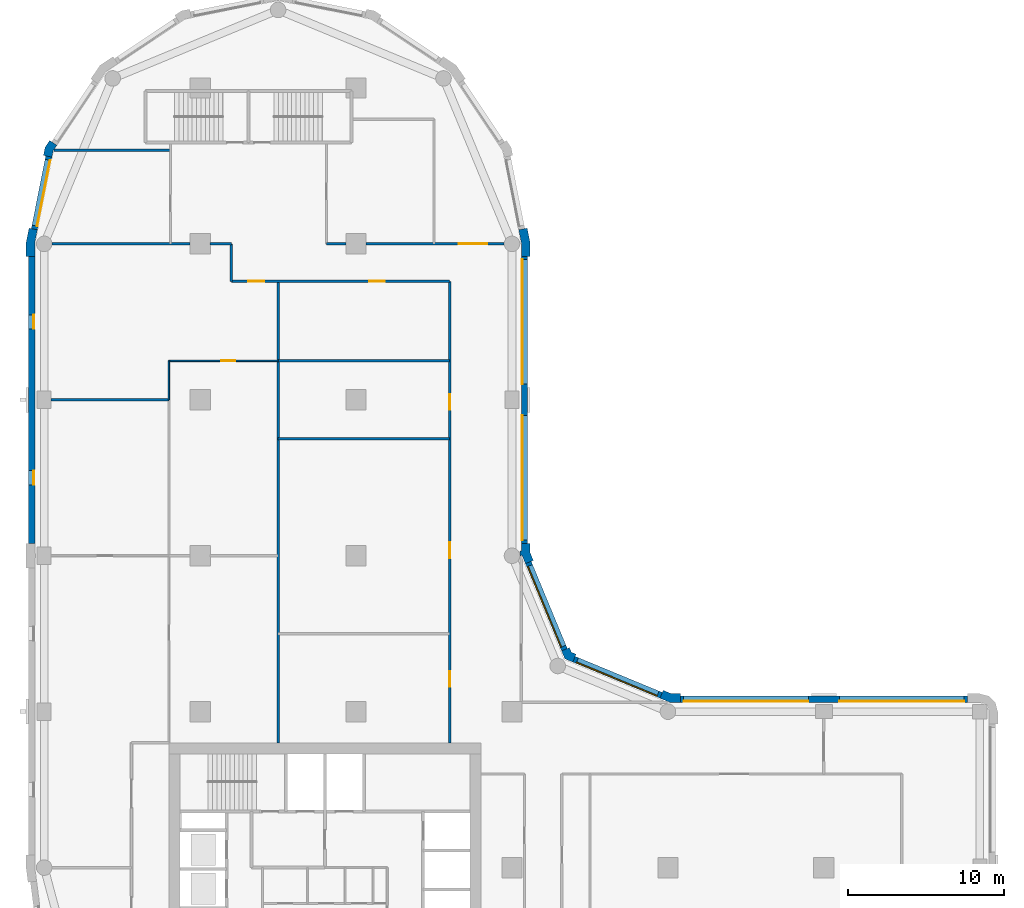
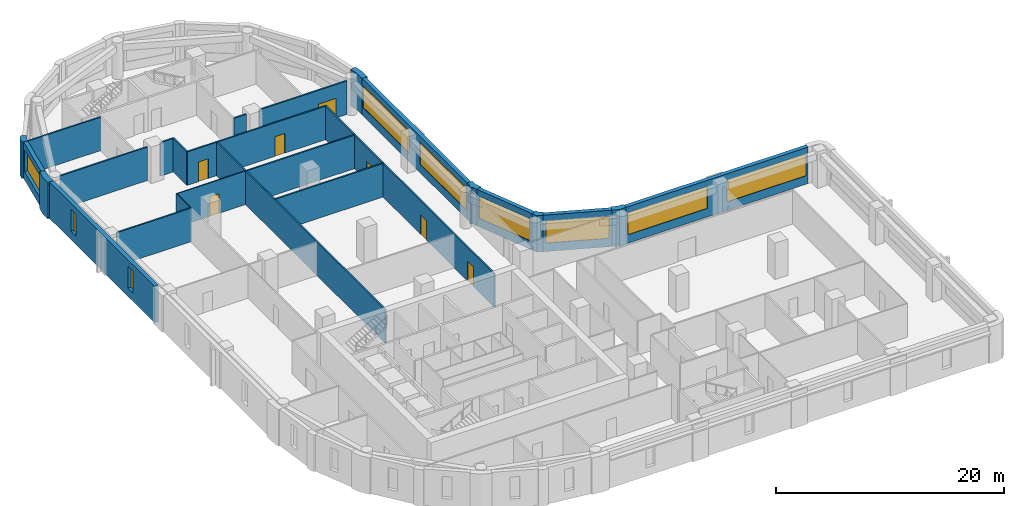
# One storey, part 6 of 10: 26 walls, 9 windows, 7 doors, 16 openings.
"""IFC4 building model written with IfcOpenShell, lengths in metres."""

import ifcopenshell
import ifcopenshell.guid

model = None  # the IFC model being written
_history = None  # IfcOwnerHistory: only IFC2X3 demands one
_inside = {}  # id of a spatial element -> (the spatial element, [elements in it])
_under = {}  # id of a project, library or spatial element -> (it, [spatial elements below it])
_declared = {}  # id of a project -> (the project, [libraries it declares])
_typed = {}  # id of a type object -> (the type object, [elements of that type])
_made_of = {}  # id of a material, layer set ... -> (it, [elements and type objects made of it])


def new_model(schema):
    """Start an empty IFC model of exactly this schema.

    Asked for "IFC4X3", IfcOpenShell would pick the latest addendum, in which some entities
    have other attributes; the version numbers below select the first issue.
    IFC2X3 requires an IfcOwnerHistory on every rooted entity: one is made here for all.
    """
    global model, _history
    if schema == "IFC4X3":
        model = ifcopenshell.file(schema_version=(4, 3, 0, 0))
    else:
        model = ifcopenshell.file(schema=schema)
    _inside.clear()
    _under.clear()
    _declared.clear()
    _typed.clear()
    _made_of.clear()
    _history = None
    if model.schema == "IFC2X3":
        org = make("IfcOrganization", Name="unknown")
        user = make(
            "IfcPersonAndOrganization",
            ThePerson=make("IfcPerson", FamilyName="unknown"),
            TheOrganization=org,
        )
        app = make(
            "IfcApplication",
            ApplicationDeveloper=org,
            Version="unknown",
            ApplicationFullName="unknown",
            ApplicationIdentifier="unknown",
        )
        _history = make(
            "IfcOwnerHistory",
            OwningUser=user,
            OwningApplication=app,
            ChangeAction="ADDED",
            CreationDate=0,
        )
    return model


def make(cls, **values):
    """One entity of the class cls with the attributes given. An attribute that is None is left unset."""
    return model.create_entity(
        cls, **{name: value for name, value in values.items() if value is not None}
    )


def rooted(cls, **values):
    """An entity with a GlobalId (a new one), such as an element, a storey or a relation."""
    return make(cls, GlobalId=ifcopenshell.guid.new(), OwnerHistory=_history, **values)


def si_unit(unit_type, name, prefix=None):
    """IfcSIUnit, for example si_unit("LENGTHUNIT", "METRE", prefix="MILLI")."""
    return make("IfcSIUnit", UnitType=unit_type, Prefix=prefix, Name=name)


def assignment(units):
    """IfcUnitAssignment: the units of a project."""
    return None if units is None else make("IfcUnitAssignment", Units=units)


def point(xyz):
    """IfcCartesianPoint."""
    return None if xyz is None else make("IfcCartesianPoint", Coordinates=xyz)


def direction(xyz):
    """IfcDirection."""
    return None if xyz is None else make("IfcDirection", DirectionRatios=xyz)


def frame(location, z_axis=None, x_axis=None):
    """IfcAxis2Placement3D, a coordinate frame: its origin and axes. An axis left out is left unset."""
    return make(
        "IfcAxis2Placement3D",
        Location=point(location),
        Axis=direction(z_axis),
        RefDirection=direction(x_axis),
    )


def frame_2d(location, x_axis=None):
    """IfcAxis2Placement2D, a coordinate frame in the plane: its origin and x axis."""
    return make(
        "IfcAxis2Placement2D", Location=point(location), RefDirection=direction(x_axis)
    )


def origin():
    """The frame at (0, 0, 0) with its axes left unset."""
    return frame((0.0, 0.0, 0.0))


def place(relative_to, where):
    """IfcLocalPlacement: puts the frame where relative to a parent placement (None: the world)."""
    return make(
        "IfcLocalPlacement", PlacementRelTo=relative_to, RelativePlacement=where
    )


def context(
    kind, dimensions, precision=None, world=None, true_north=None, identifier=None
):
    """IfcGeometricRepresentationContext, for example the 3D "Model" context."""
    return make(
        "IfcGeometricRepresentationContext",
        ContextIdentifier=identifier,
        ContextType=kind,
        CoordinateSpaceDimension=dimensions,
        Precision=precision,
        WorldCoordinateSystem=world,
        TrueNorth=true_north,
    )


def subcontext(parent, identifier, kind, view, scale=None):
    """IfcGeometricRepresentationSubContext, for example "Body" below "Model"."""
    return make(
        "IfcGeometricRepresentationSubContext",
        ContextIdentifier=identifier,
        ContextType=kind,
        ParentContext=parent,
        TargetScale=scale,
        TargetView=view,
    )


def project(units=None, contexts=None):
    """IfcProject with its units and contexts."""
    return rooted(
        "IfcProject",
        Name="project",
        RepresentationContexts=contexts,
        UnitsInContext=assignment(units),
    )


def spatial(cls, under=None, at=None, **own):
    """A site, building, storey or space (cls), placed at a placement, below another one or the project."""
    s = rooted(cls, ObjectPlacement=at, **own)
    if under is not None:
        _under.setdefault(under.id(), (under, []))[1].append(s)
    return s


def polyline(points):
    """IfcPolyline through the points."""
    return make("IfcPolyline", Points=[point(p) for p in points])


def profile(cls, at=None, kind="AREA", **sizes):
    """A parametric profile (cls). Its sizes go by their IFC names, for example OverallWidth=200.0."""
    return make(cls, ProfileType=kind, Position=at, **sizes)


def rectangle(**sizes):
    """IfcRectangleProfileDef."""
    return profile("IfcRectangleProfileDef", **sizes)


def outline(outer, holes=None, kind="AREA"):
    """IfcArbitraryClosedProfileDef: a profile drawn as a closed curve; with holes, ...WithVoids."""
    if holes is None:
        return make("IfcArbitraryClosedProfileDef", ProfileType=kind, OuterCurve=outer)
    return make(
        "IfcArbitraryProfileDefWithVoids",
        ProfileType=kind,
        OuterCurve=outer,
        InnerCurves=holes,
    )


def extrude(swept, where, along, depth):
    """IfcExtrudedAreaSolid: the profile swept, set in the frame where, extruded along a direction by depth."""
    return make(
        "IfcExtrudedAreaSolid",
        SweptArea=swept,
        Position=where,
        ExtrudedDirection=direction(along),
        Depth=depth,
    )


def shape(context_of_items, identifier, shape_type, items):
    """IfcShapeRepresentation: the items that make up one representation, for example the "Body"."""
    return make(
        "IfcShapeRepresentation",
        ContextOfItems=context_of_items,
        RepresentationIdentifier=identifier,
        RepresentationType=shape_type,
        Items=items,
    )


def material(Name=None, Category=None):
    """IfcMaterial."""
    return make("IfcMaterial", Name=Name, Category=Category)


def layer(
    of_material, thickness, ventilated=None, Name=None, Category=None, Priority=None
):
    """IfcMaterialLayer: one layer of a wall or slab, of a material (None: an air gap)."""
    return make(
        "IfcMaterialLayer",
        Material=of_material,
        LayerThickness=thickness,
        IsVentilated=ventilated,
        Name=Name,
        Category=Category,
        Priority=Priority,
    )


def layer_set(layers, Name=None):
    """IfcMaterialLayerSet."""
    return make("IfcMaterialLayerSet", MaterialLayers=layers, LayerSetName=Name)


def made_of(thing, what):
    """Note that an element or type object is made of a material, layer set ...; save() writes the relation."""
    if what is not None:
        _made_of.setdefault(what.id(), (what, []))[1].append(thing)
    return thing


def type_object(cls, material=None, **own):
    """A type object (cls), such as IfcWallType, which elements share."""
    return made_of(rooted(cls, **own), material)


def element(
    cls,
    number,
    at=None,
    inside=None,
    cuts=None,
    type_object=None,
    material=None,
    context=None,
    identifier="Body",
    shape_type=None,
    held_by="IfcProductDefinitionShape",
    body=None,
    shapes=None,
    **own,
):
    """One element of the class cls, such as IfcWall. Its Tag is "e" and its number.

    at: its placement. inside: the storey or other place that contains it. cuts: it is an
    opening in that element (IfcRelVoidsElement). A single representation is given by context,
    identifier, shape_type and body (its items); several are given by shapes. held_by: the class
    of the entity that holds the representations. save() writes the other relations.
    """
    e = rooted(cls, Tag="e%d" % number, ObjectPlacement=at, **own)
    if body is not None:
        shapes = [shape(context, identifier, shape_type, body)]
    if shapes is not None:
        e.Representation = make(held_by, Representations=shapes)
    if inside is not None:
        _inside.setdefault(inside.id(), (inside, []))[1].append(e)
    if cuts is not None:
        rooted(
            "IfcRelVoidsElement", RelatingBuildingElement=cuts, RelatedOpeningElement=e
        )
    if type_object is not None:
        _typed.setdefault(type_object.id(), (type_object, []))[1].append(e)
    return made_of(e, material)


def fill(opening, filler):
    """IfcRelFillsElement: the door or window that sits in an opening."""
    return rooted(
        "IfcRelFillsElement",
        RelatingOpeningElement=opening,
        RelatedBuildingElement=filler,
    )


def aggregate(whole, parts):
    """IfcRelAggregates: a whole, such as a stair, and the parts it consists of."""
    return rooted("IfcRelAggregates", RelatingObject=whole, RelatedObjects=parts)


def save(model, path):
    """Write the relations noted so far, then the file.

    IfcRelAggregates (storeys below a building ...), IfcRelContainedInSpatialStructure (elements
    in a storey), IfcRelDefinesByType, IfcRelAssociatesMaterial and IfcRelDeclares: one each for
    every whole, place, type object, material and project.
    """
    for whole, parts in _under.values():
        aggregate(whole, parts)
    for where, things in _inside.values():
        rooted(
            "IfcRelContainedInSpatialStructure",
            RelatedElements=things,
            RelatingStructure=where,
        )
    for kind, things in _typed.values():
        rooted("IfcRelDefinesByType", RelatedObjects=things, RelatingType=kind)
    for what, things in _made_of.values():
        rooted("IfcRelAssociatesMaterial", RelatedObjects=things, RelatingMaterial=what)
    for by, libraries in _declared.values():
        rooted("IfcRelDeclares", RelatingContext=by, RelatedDefinitions=libraries)
    model.write(path)


model = new_model("IFC4")

# Units and contexts
model_context = context("Model", 3, precision=1e-05, world=origin(), true_north=direction((0.0, 1.0)))
body_context = subcontext(model_context, "Body", "Model", "MODEL_VIEW")
ifc_project = project(units=[si_unit("LENGTHUNIT", "METRE"), si_unit("AREAUNIT", "SQUARE_METRE"), si_unit("VOLUMEUNIT", "CUBIC_METRE"), si_unit("PLANEANGLEUNIT", "RADIAN"), si_unit("MASSUNIT", "GRAM", prefix="KILO")], contexts=[model_context])

# Site, building, storey
site_placement = place(None, origin())
site = spatial("IfcSite", under=ifc_project, at=site_placement, CompositionType="ELEMENT")
building_placement = place(site_placement, origin())
building = spatial("IfcBuilding", under=site, at=building_placement, Name="Qaws Garden Tower", CompositionType="ELEMENT")
storey_placement = place(building_placement, frame((0.0, 0.0, 209.699951171875)))
storey = spatial("IfcBuildingStorey", under=building, at=storey_placement, Name="L51", CompositionType="ELEMENT", Elevation=209.699951171875)

# Wall, openings, windows
ifc_material_1 = material(Name="Clay facing brick masonry", Category="masonry")
ifc_layer_1 = layer(ifc_material_1, 0.39990234375)
ifc_layer_set_1 = layer_set([ifc_layer_1], Name="Clay facing brick masonry")
wall_type_1 = type_object("IfcWallType", Name="Brick infill wall 400", PredefinedType="SOLIDWALL", material=ifc_layer_set_1)
wall_1_placement = place(storey_placement, frame((59.199951171875, 30.800048828125, 0.0), z_axis=(0.0, 0.0, 1.0), x_axis=(-1.0, 0.0, 0.0)))
wall_1 = element("IfcWall", 1, at=wall_1_placement, inside=storey, type_object=wall_type_1, Name="E-L51-infill-07", PredefinedType="SOLIDWALL", context=body_context, shape_type="SweptSolid", body=[
    extrude(rectangle(XDim=18.39990234375, YDim=0.39990234375, at=frame_2d((9.199951171875, 0.0))), origin(), (0.0, 0.0, 1.0), 3.900146484375),
])
opening_1_placement = place(wall_1_placement, frame((0.199951171875, 0.0, 0.89990234375)))
opening_1 = element("IfcOpeningElement", 2, at=opening_1_placement, cuts=wall_1, Name="Opening W01", PredefinedType="OPENING", context=body_context, shape_type="SweptSolid", body=[
    extrude(rectangle(XDim=8.0, YDim=2.35009765625, at=frame_2d((4.0, 1.175048828125))), frame((0.0, 0.2099609375, 0.0), z_axis=(0.0, -1.0, 0.0), x_axis=(1.0, 0.0, 0.0)), (0.0, 0.0, 1.0), 0.419921875),
])
opening_2_placement = place(wall_1_placement, frame((10.199951171875, 0.0, 0.89990234375)))
opening_2 = element("IfcOpeningElement", 3, at=opening_2_placement, cuts=wall_1, Name="Opening W01", PredefinedType="OPENING", context=body_context, shape_type="SweptSolid", body=[
    extrude(rectangle(XDim=8.0, YDim=2.35009765625, at=frame_2d((4.0, 1.175048828125))), frame((0.0, 0.2099609375, 0.0), z_axis=(0.0, -1.0, 0.0), x_axis=(1.0, 0.0, 0.0)), (0.0, 0.0, 1.0), 0.419921875),
])
ifc_material_2 = material(Name="Aluminium framed window, clear glazing", Category="aluminium")
window_type_1 = type_object("IfcWindowType", Name="Ribbon window 8000 x 2350", PartitioningType="DOUBLE_PANEL_VERTICAL", PredefinedType="WINDOW", material=ifc_material_2)
window_1_placement = place(opening_1_placement, origin())
window_1 = element("IfcWindow", 4, at=window_1_placement, inside=storey, type_object=window_type_1, Name="E-L51-window-07-0", OverallHeight=2.35009765625, OverallWidth=8.0, PartitioningType="SINGLE_PANEL", PredefinedType="WINDOW", context=body_context, shape_type="SweptSolid", body=[
    extrude(rectangle(XDim=8.0, YDim=2.35009765625, at=frame_2d((4.0, 1.175048828125))), frame((0.0, 0.159912109375, 0.0), z_axis=(0.0, -1.0, 0.0), x_axis=(1.0, 0.0, 0.0)), (0.0, 0.0, 1.0), 0.06005859375),
])
fill(opening_1, window_1)
window_2_placement = place(opening_2_placement, origin())
window_2 = element("IfcWindow", 5, at=window_2_placement, inside=storey, type_object=window_type_1, Name="E-L51-window-08-0", OverallHeight=2.35009765625, OverallWidth=8.0, PartitioningType="SINGLE_PANEL", PredefinedType="WINDOW", context=body_context, shape_type="SweptSolid", body=[
    extrude(rectangle(XDim=8.0, YDim=2.35009765625, at=frame_2d((4.0, 1.175048828125))), frame((0.0, 0.159912109375, 0.0), z_axis=(0.0, -1.0, 0.0), x_axis=(1.0, 0.0, 0.0)), (0.0, 0.0, 1.0), 0.06005859375),
])
fill(opening_2, window_2)

# Wall, opening, window
wall_2_placement = place(storey_placement, frame((39.56689453125, 31.04541015625, 0.0), z_axis=(0.0, 0.0, 1.0), x_axis=(-0.923891000409, 0.382655745237, 0.0)))
wall_2 = element("IfcWall", 6, at=wall_2_placement, inside=storey, type_object=wall_type_1, Name="E-L51-infill-09", PredefinedType="SOLIDWALL", context=body_context, shape_type="SweptSolid", body=[
    extrude(rectangle(XDim=6.053466796875, YDim=0.39990234375, at=frame_2d((3.02685546875, 0.0))), origin(), (0.0, 0.0, 1.0), 3.900146484375),
])
opening_3_placement = place(wall_2_placement, frame((0.226806640625, 0.0, 0.89990234375)))
opening_3 = element("IfcOpeningElement", 7, at=opening_3_placement, cuts=wall_2, Name="Opening W04", PredefinedType="OPENING", context=body_context, shape_type="SweptSolid", body=[
    extrude(rectangle(XDim=5.60009765625, YDim=2.35009765625, at=frame_2d((2.800048828125, 1.175048828125))), frame((0.0, 0.2099609375, 0.0), z_axis=(0.0, -1.0, 0.0), x_axis=(1.0, 0.0, 0.0)), (0.0, 0.0, 1.0), 0.419921875),
])
ifc_material_3 = material(Name="Aluminium framed window, clear glazing", Category="aluminium")
window_type_2 = type_object("IfcWindowType", Name="Ribbon window 5600 x 2350", PartitioningType="DOUBLE_PANEL_VERTICAL", PredefinedType="WINDOW", material=ifc_material_3)
window_3_placement = place(opening_3_placement, origin())
window_3 = element("IfcWindow", 8, at=window_3_placement, inside=storey, type_object=window_type_2, Name="E-L51-window-09-0", OverallHeight=2.35009765625, OverallWidth=5.60009765625, PartitioningType="SINGLE_PANEL", PredefinedType="WINDOW", context=body_context, shape_type="SweptSolid", body=[
    extrude(rectangle(XDim=5.60009765625, YDim=2.35009765625, at=frame_2d((2.800048828125, 1.175048828125))), frame((0.0, 0.159912109375, 0.0), z_axis=(0.0, -1.0, 0.0), x_axis=(1.0, 0.0, 0.0)), (0.0, 0.0, 1.0), 0.06005859375),
])
fill(opening_3, window_3)

wall_3_placement = place(storey_placement, frame((33.36181640625, 33.97412109375, 0.0), z_axis=(0.0, 0.0, 1.0), x_axis=(-0.382655745237, 0.923891000409, 0.0)))
wall_3 = element("IfcWall", 9, at=wall_3_placement, inside=storey, type_object=wall_type_1, Name="E-L51-infill-10", PredefinedType="SOLIDWALL", context=body_context, shape_type="SweptSolid", body=[
    extrude(rectangle(XDim=6.053466796875, YDim=0.39990234375, at=frame_2d((3.02685546875, 0.0))), origin(), (0.0, 0.0, 1.0), 3.900146484375),
])
opening_4_placement = place(wall_3_placement, frame((0.226806640625, 0.0, 0.89990234375)))
opening_4 = element("IfcOpeningElement", 10, at=opening_4_placement, cuts=wall_3, Name="Opening W04", PredefinedType="OPENING", context=body_context, shape_type="SweptSolid", body=[
    extrude(rectangle(XDim=5.60009765625, YDim=2.35009765625, at=frame_2d((2.800048828125, 1.175048828125))), frame((0.0, 0.2099609375, 0.0), z_axis=(0.0, -1.0, 0.0), x_axis=(1.0, 0.0, 0.0)), (0.0, 0.0, 1.0), 0.419921875),
])
window_4_placement = place(opening_4_placement, origin())
window_4 = element("IfcWindow", 11, at=window_4_placement, inside=storey, type_object=window_type_2, Name="E-L51-window-10-0", OverallHeight=2.35009765625, OverallWidth=5.60009765625, PartitioningType="SINGLE_PANEL", PredefinedType="WINDOW", context=body_context, shape_type="SweptSolid", body=[
    extrude(rectangle(XDim=5.60009765625, YDim=2.35009765625, at=frame_2d((2.800048828125, 1.175048828125))), frame((0.0, 0.159912109375, 0.0), z_axis=(0.0, -1.0, 0.0), x_axis=(1.0, 0.0, 0.0)), (0.0, 0.0, 1.0), 0.06005859375),
])
fill(opening_4, window_4)

# Wall, openings, windows
wall_4_placement = place(storey_placement, frame((30.800048828125, 40.800048828125, 0.0), z_axis=(0.0, 0.0, 1.0), x_axis=(0.0, 1.0, 0.0)))
wall_4 = element("IfcWall", 12, at=wall_4_placement, inside=storey, type_object=wall_type_1, Name="E-L51-infill-11", PredefinedType="SOLIDWALL", context=body_context, shape_type="SweptSolid", body=[
    extrude(rectangle(XDim=18.39990234375, YDim=0.39990234375, at=frame_2d((9.199951171875, 0.0))), origin(), (0.0, 0.0, 1.0), 3.900146484375),
])
opening_5_placement = place(wall_4_placement, frame((0.199951171875, 0.0, 0.89990234375)))
opening_5 = element("IfcOpeningElement", 13, at=opening_5_placement, cuts=wall_4, Name="Opening W01", PredefinedType="OPENING", context=body_context, shape_type="SweptSolid", body=[
    extrude(rectangle(XDim=8.0, YDim=2.35009765625, at=frame_2d((4.0, 1.175048828125))), frame((0.0, 0.2099609375, 0.0), z_axis=(0.0, -1.0, 0.0), x_axis=(1.0, 0.0, 0.0)), (0.0, 0.0, 1.0), 0.419921875),
])
opening_6_placement = place(wall_4_placement, frame((10.199951171875, 0.0, 0.89990234375)))
opening_6 = element("IfcOpeningElement", 14, at=opening_6_placement, cuts=wall_4, Name="Opening W01", PredefinedType="OPENING", context=body_context, shape_type="SweptSolid", body=[
    extrude(rectangle(XDim=8.0, YDim=2.35009765625, at=frame_2d((4.0, 1.175048828125))), frame((0.0, 0.2099609375, 0.0), z_axis=(0.0, -1.0, 0.0), x_axis=(1.0, 0.0, 0.0)), (0.0, 0.0, 1.0), 0.419921875),
])
window_5_placement = place(opening_5_placement, origin())
window_5 = element("IfcWindow", 15, at=window_5_placement, inside=storey, type_object=window_type_1, Name="E-L51-window-11-0", OverallHeight=2.35009765625, OverallWidth=8.0, PartitioningType="SINGLE_PANEL", PredefinedType="WINDOW", context=body_context, shape_type="SweptSolid", body=[
    extrude(rectangle(XDim=8.0, YDim=2.35009765625, at=frame_2d((4.0, 1.175048828125))), frame((0.0, 0.159912109375, 0.0), z_axis=(0.0, -1.0, 0.0), x_axis=(1.0, 0.0, 0.0)), (0.0, 0.0, 1.0), 0.06005859375),
])
fill(opening_5, window_5)
window_6_placement = place(opening_6_placement, origin())
window_6 = element("IfcWindow", 16, at=window_6_placement, inside=storey, type_object=window_type_1, Name="E-L51-window-12-0", OverallHeight=2.35009765625, OverallWidth=8.0, PartitioningType="SINGLE_PANEL", PredefinedType="WINDOW", context=body_context, shape_type="SweptSolid", body=[
    extrude(rectangle(XDim=8.0, YDim=2.35009765625, at=frame_2d((4.0, 1.175048828125))), frame((0.0, 0.159912109375, 0.0), z_axis=(0.0, -1.0, 0.0), x_axis=(1.0, 0.0, 0.0)), (0.0, 0.0, 1.0), 0.06005859375),
])
fill(opening_6, window_6)

# Wall, opening, window
wall_5_placement = place(storey_placement, frame((0.298583984375, 65.60205078125, 0.0), z_axis=(0.0, 0.0, 1.0), x_axis=(-0.195098533057, -0.98078364709, 0.0)))
wall_5 = element("IfcWall", 17, at=wall_5_placement, inside=storey, type_object=wall_type_1, Name="E-L51-infill-20", PredefinedType="SOLIDWALL", context=body_context, shape_type="SweptSolid", body=[
    extrude(rectangle(XDim=4.752685546875, YDim=0.39990234375, at=frame_2d((2.37646484375, 0.0))), origin(), (0.0, 0.0, 1.0), 3.900146484375),
])
opening_7_placement = place(wall_5_placement, frame((0.226318359375, 0.0, 0.89990234375)))
opening_7 = element("IfcOpeningElement", 18, at=opening_7_placement, cuts=wall_5, Name="Opening W06", PredefinedType="OPENING", context=body_context, shape_type="SweptSolid", body=[
    extrude(rectangle(XDim=4.300048828125, YDim=2.35009765625, at=frame_2d((2.14990234375, 1.175048828125))), frame((0.0, 0.2099609375, 0.0), z_axis=(0.0, -1.0, 0.0), x_axis=(1.0, 0.0, 0.0)), (0.0, 0.0, 1.0), 0.419921875),
])
ifc_material_4 = material(Name="Aluminium framed window, clear glazing", Category="aluminium")
window_type_3 = type_object("IfcWindowType", Name="Ribbon window 4300 x 2350", PartitioningType="DOUBLE_PANEL_VERTICAL", PredefinedType="WINDOW", material=ifc_material_4)
window_7_placement = place(opening_7_placement, origin())
window_7 = element("IfcWindow", 19, at=window_7_placement, inside=storey, type_object=window_type_3, Name="E-L51-window-20-0", OverallHeight=2.35009765625, OverallWidth=4.300048828125, PartitioningType="SINGLE_PANEL", PredefinedType="WINDOW", context=body_context, shape_type="SweptSolid", body=[
    extrude(rectangle(XDim=4.300048828125, YDim=2.35009765625, at=frame_2d((2.14990234375, 1.175048828125))), frame((0.0, 0.159912109375, 0.0), z_axis=(0.0, -1.0, 0.0), x_axis=(1.0, 0.0, 0.0)), (0.0, 0.0, 1.0), 0.06005859375),
])
fill(opening_7, window_7)

# Wall, openings, windows
wall_6_placement = place(storey_placement, frame((-0.800048828125, 59.199951171875, 0.0), z_axis=(0.0, 0.0, 1.0), x_axis=(0.0, -1.0, 0.0)))
wall_6 = element("IfcWall", 20, at=wall_6_placement, inside=storey, type_object=wall_type_1, Name="E-L51-infill-21", PredefinedType="SOLIDWALL", context=body_context, shape_type="SweptSolid", body=[
    extrude(rectangle(XDim=18.39990234375, YDim=0.39990234375, at=frame_2d((9.199951171875, 0.0))), origin(), (0.0, 0.0, 1.0), 3.900146484375),
])
opening_8_placement = place(wall_6_placement, frame((3.75, 0.0, 0.89990234375)))
opening_8 = element("IfcOpeningElement", 21, at=opening_8_placement, cuts=wall_6, Name="Opening W09", PredefinedType="OPENING", context=body_context, shape_type="SweptSolid", body=[
    extrude(rectangle(XDim=0.89990234375, YDim=2.35009765625, at=frame_2d((0.449951171875, 1.175048828125))), frame((0.0, 0.2099609375, 0.0), z_axis=(0.0, -1.0, 0.0), x_axis=(1.0, 0.0, 0.0)), (0.0, 0.0, 1.0), 0.419921875),
])
opening_9_placement = place(wall_6_placement, frame((13.75, 0.0, 0.89990234375)))
opening_9 = element("IfcOpeningElement", 22, at=opening_9_placement, cuts=wall_6, Name="Opening W09", PredefinedType="OPENING", context=body_context, shape_type="SweptSolid", body=[
    extrude(rectangle(XDim=0.89990234375, YDim=2.35009765625, at=frame_2d((0.449951171875, 1.175048828125))), frame((0.0, 0.2099609375, 0.0), z_axis=(0.0, -1.0, 0.0), x_axis=(1.0, 0.0, 0.0)), (0.0, 0.0, 1.0), 0.419921875),
])
ifc_material_5 = material(Name="Aluminium framed window, clear glazing", Category="aluminium")
window_type_4 = type_object("IfcWindowType", Name="Slit window 900 x 2350", PartitioningType="SINGLE_PANEL", PredefinedType="WINDOW", material=ifc_material_5)
window_8_placement = place(opening_8_placement, origin())
window_8 = element("IfcWindow", 23, at=window_8_placement, inside=storey, type_object=window_type_4, Name="E-L51-window-21-0", OverallHeight=2.35009765625, OverallWidth=0.89990234375, PartitioningType="SINGLE_PANEL", PredefinedType="WINDOW", context=body_context, shape_type="SweptSolid", body=[
    extrude(rectangle(XDim=0.89990234375, YDim=2.35009765625, at=frame_2d((0.449951171875, 1.175048828125))), frame((0.0, 0.159912109375, 0.0), z_axis=(0.0, -1.0, 0.0), x_axis=(1.0, 0.0, 0.0)), (0.0, 0.0, 1.0), 0.06005859375),
])
fill(opening_8, window_8)
window_9_placement = place(opening_9_placement, origin())
window_9 = element("IfcWindow", 24, at=window_9_placement, inside=storey, type_object=window_type_4, Name="E-L51-window-22-0", OverallHeight=2.35009765625, OverallWidth=0.89990234375, PartitioningType="SINGLE_PANEL", PredefinedType="WINDOW", context=body_context, shape_type="SweptSolid", body=[
    extrude(rectangle(XDim=0.89990234375, YDim=2.35009765625, at=frame_2d((0.449951171875, 1.175048828125))), frame((0.0, 0.159912109375, 0.0), z_axis=(0.0, -1.0, 0.0), x_axis=(1.0, 0.0, 0.0)), (0.0, 0.0, 1.0), 0.06005859375),
])
fill(opening_9, window_9)

# Walls
ifc_material_6 = material(Name="Clay facing brick masonry", Category="masonry")
ifc_layer_2 = layer(ifc_material_6, 0.550048828125)
ifc_layer_set_2 = layer_set([ifc_layer_2], Name="Clay facing brick masonry")
wall_type_2 = type_object("IfcWallType", Name="Brick kink pier 550 x 600", PredefinedType="SOLIDWALL", material=ifc_layer_set_2)
placement = place(storey_placement, origin())
element("IfcWall", 25, at=placement, inside=storey, type_object=wall_type_2, Name="E-L51-pier-20", PredefinedType="SOLIDWALL", context=body_context, shape_type="SweptSolid", body=[
    extrude(outline(polyline([(0.47705078125, 66.545166015625), (0.352294921875, 66.628662109375), (0.05859375, 66.18896484375), (-0.044677734375, 65.67041015625), (0.1025390625, 65.64111328125), (0.494873046875, 65.56298828125), (0.57666015625, 65.974365234375), (0.8095703125, 66.322998046875), (0.47705078125, 66.545166015625)])), origin(), (0.0, 0.0, 1.0), 3.900146484375),
])
ifc_material_7 = material(Name="Clay facing brick masonry", Category="masonry")
ifc_layer_3 = layer(ifc_material_7, 0.550048828125)
ifc_layer_set_3 = layer_set([ifc_layer_3], Name="Clay facing brick masonry")
wall_type_3 = type_object("IfcWallType", Name="Brick pier 550 x 1600", PredefinedType="SOLIDWALL", material=ifc_layer_set_3)
element("IfcWall", 26, at=placement, inside=storey, type_object=wall_type_3, Name="E-L51-pier-09", PredefinedType="SOLIDWALL", context=body_context, shape_type="SweptSolid", body=[
    extrude(outline(polyline([(40.800048828125, 31.0), (40.800048828125, 31.14990234375), (40.228759765625, 31.14990234375), (39.700927734375, 31.36865234375), (39.6435546875, 31.22998046875), (39.490478515625, 30.860595703125), (40.119384765625, 30.60009765625), (40.800048828125, 30.60009765625), (40.800048828125, 31.0)])), origin(), (0.0, 0.0, 1.0), 3.900146484375),
])
element("IfcWall", 27, at=placement, inside=storey, type_object=wall_type_3, Name="E-L51-pier-10", PredefinedType="SOLIDWALL", context=body_context, shape_type="SweptSolid", body=[
    extrude(outline(polyline([(34.05078125, 33.546630859375), (34.108154296875, 33.685302734375), (33.80908203125, 33.80908203125), (33.685302734375, 34.108154296875), (33.546630859375, 34.05078125), (33.177001953125, 33.897705078125), (33.38818359375, 33.38818359375), (33.897705078125, 33.177001953125), (34.05078125, 33.546630859375)])), origin(), (0.0, 0.0, 1.0), 3.900146484375),
])
element("IfcWall", 28, at=placement, inside=storey, type_object=wall_type_3, Name="E-L51-pier-11", PredefinedType="SOLIDWALL", context=body_context, shape_type="SweptSolid", body=[
    extrude(outline(polyline([(30.6201171875, 39.995361328125), (30.6201171875, 40.071044921875), (30.860595703125, 39.490478515625), (31.22998046875, 39.6435546875), (31.36865234375, 39.700927734375), (31.14990234375, 40.228759765625), (31.14990234375, 40.800048828125), (31.0, 40.800048828125), (30.60009765625, 40.800048828125), (30.60009765625, 40.29541015625), (30.5, 40.29541015625), (30.5, 39.995361328125), (30.6201171875, 39.995361328125)])), origin(), (0.0, 0.0, 1.0), 3.900146484375),
])
element("IfcWall", 29, at=placement, inside=storey, type_object=wall_type_3, Name="E-L51-pier-13", PredefinedType="SOLIDWALL", context=body_context, shape_type="SweptSolid", body=[
    extrude(outline(polyline([(31.0, 59.199951171875), (31.14990234375, 59.199951171875), (31.14990234375, 60.11328125), (30.971923828125, 61.009033203125), (30.82470703125, 60.979736328125), (30.432373046875, 60.901611328125), (30.60009765625, 60.05908203125), (30.60009765625, 59.199951171875), (31.0, 59.199951171875)])), origin(), (0.0, 0.0, 1.0), 3.900146484375),
])
element("IfcWall", 30, at=placement, inside=storey, type_object=wall_type_3, Name="E-L51-pier-21", PredefinedType="SOLIDWALL", context=body_context, shape_type="SweptSolid", body=[
    extrude(outline(polyline([(-0.82470703125, 60.979736328125), (-0.971923828125, 61.009033203125), (-1.14990234375, 60.11328125), (-1.14990234375, 59.199951171875), (-1.0, 59.199951171875), (-0.60009765625, 59.199951171875), (-0.60009765625, 60.05908203125), (-0.432373046875, 60.901611328125), (-0.82470703125, 60.979736328125)])), origin(), (0.0, 0.0, 1.0), 3.900146484375),
])
ifc_material_8 = material(Name="Gypsum board partition")
ifc_layer_4 = layer(ifc_material_8, 0.10009765625)
ifc_layer_set_4 = layer_set([ifc_layer_4], Name="Gypsum board partition")
wall_type_4 = type_object("IfcWallType", Name="PARTITION 100", PredefinedType="PARTITIONING", material=ifc_layer_set_4)
wall_13_placement = place(storey_placement, frame((8.0, 50.0, 0.0), z_axis=(0.0, 0.0, 1.0), x_axis=(0.0, 1.0, 0.0)))
element("IfcWall", 31, at=wall_13_placement, inside=storey, type_object=wall_type_4, Name="O-L51-wall-002", PredefinedType="PARTITIONING", context=body_context, shape_type="SweptSolid", body=[
    extrude(rectangle(XDim=2.5, YDim=0.10009765625, at=frame_2d((1.25, 0.0))), origin(), (0.0, 0.0, 1.0), 3.580078125),
])

# Wall, opening, door
wall_14_placement = place(storey_placement, frame((8.0, 52.5, 0.0), z_axis=(0.0, 0.0, 1.0), x_axis=(1.0, 0.0, 0.0)))
wall_14 = element("IfcWall", 32, at=wall_14_placement, inside=storey, type_object=wall_type_4, Name="O-L51-wall-009", PredefinedType="PARTITIONING", context=body_context, shape_type="SweptSolid", body=[
    extrude(rectangle(XDim=7.0, YDim=0.10009765625, at=frame_2d((3.5, 0.0))), origin(), (0.0, 0.0, 1.0), 3.580078125),
])
opening_10_placement = place(wall_14_placement, frame((3.35009765625, 0.0, 0.0)))
opening_10 = element("IfcOpeningElement", 33, at=opening_10_placement, cuts=wall_14, Name="Opening B727", PredefinedType="OPENING", context=body_context, shape_type="SweptSolid", body=[
    extrude(rectangle(XDim=0.89990234375, YDim=2.10009765625, at=frame_2d((0.449951171875, 1.050048828125))), frame((0.0, 0.06005859375, 0.0), z_axis=(0.0, -1.0, 0.0), x_axis=(1.0, 0.0, 0.0)), (0.0, 0.0, 1.0), 0.1201171875),
])
ifc_material_9 = material(Name="Timber door leaf", Category="wood")
door_type_1 = type_object("IfcDoorType", Name="OFFICE DOOR 900 X 2100", OperationType="SINGLE_SWING_LEFT", PredefinedType="DOOR", material=ifc_material_9)
door_1_placement = place(opening_10_placement, frame((0.89990234375, 0.0, 0.0), z_axis=(0.0, 0.0, 1.0), x_axis=(-1.0, 0.0, 0.0)))
door_1 = element("IfcDoor", 34, at=door_1_placement, inside=storey, type_object=door_type_1, Name="O-L51-door-027", OperationType="SINGLE_SWING_LEFT", OverallHeight=2.10009765625, OverallWidth=0.89990234375, PredefinedType="DOOR", context=body_context, shape_type="SweptSolid", body=[
    extrude(rectangle(XDim=0.89990234375, YDim=2.10009765625, at=frame_2d((0.449951171875, 1.050048828125))), frame((0.0, 0.02490234375, 0.0), z_axis=(0.0, -1.0, 0.0), x_axis=(1.0, 0.0, 0.0)), (0.0, 0.0, 1.0), 0.050048828125),
])
fill(opening_10, door_1)

# Walls
ifc_material_10 = material(Name="Gypsum board partition")
ifc_layer_5 = layer(ifc_material_10, 0.14990234375)
ifc_layer_set_5 = layer_set([ifc_layer_5], Name="Gypsum board partition")
wall_type_5 = type_object("IfcWallType", Name="PARTITION 150 EI 60", PredefinedType="PARTITIONING", material=ifc_layer_set_5)
wall_15_placement = place(storey_placement, frame((12.0, 57.60009765625, 0.0), z_axis=(0.0, 0.0, 1.0), x_axis=(0.0, 1.0, 0.0)))
element("IfcWall", 35, at=wall_15_placement, inside=storey, type_object=wall_type_5, Name="O-L51-wall-013", PredefinedType="PARTITIONING", context=body_context, shape_type="SweptSolid", body=[
    extrude(rectangle(XDim=2.39990234375, YDim=0.14990234375, at=frame_2d((1.199951171875, 0.0))), origin(), (0.0, 0.0, 1.0), 3.580078125),
])
wall_16_placement = place(storey_placement, frame((15.0, 28.0, 0.0), z_axis=(0.0, 0.0, 1.0), x_axis=(0.0, 1.0, 0.0)))
element("IfcWall", 36, at=wall_16_placement, inside=storey, type_object=wall_type_5, Name="O-L51-wall-015", PredefinedType="PARTITIONING", context=body_context, shape_type="SweptSolid", body=[
    extrude(rectangle(XDim=29.60009765625, YDim=0.14990234375, at=frame_2d((14.800048828125, 0.0))), origin(), (0.0, 0.0, 1.0), 3.580078125),
])

# Wall, openings, doors
wall_17_placement = place(storey_placement, frame((26.0, 28.0, 0.0), z_axis=(0.0, 0.0, 1.0), x_axis=(0.0, 1.0, 0.0)))
wall_17 = element("IfcWall", 37, at=wall_17_placement, inside=storey, type_object=wall_type_5, Name="O-L51-wall-019", PredefinedType="PARTITIONING", context=body_context, shape_type="SweptSolid", body=[
    extrude(rectangle(XDim=29.60009765625, YDim=0.14990234375, at=frame_2d((14.800048828125, 0.0))), origin(), (0.0, 0.0, 1.0), 3.580078125),
])
opening_11_placement = place(wall_17_placement, frame((3.60009765625, 0.0, 0.0)))
opening_11 = element("IfcOpeningElement", 38, at=opening_11_placement, cuts=wall_17, Name="Opening B705", PredefinedType="OPENING", context=body_context, shape_type="SweptSolid", body=[
    extrude(rectangle(XDim=1.0, YDim=2.10009765625, at=frame_2d((0.5, 1.050048828125))), frame((0.0, 0.0849609375, 0.0), z_axis=(0.0, -1.0, 0.0), x_axis=(1.0, 0.0, 0.0)), (0.0, 0.0, 1.0), 0.169921875),
])
opening_12_placement = place(wall_17_placement, frame((11.85009765625, 0.0, 0.0)))
opening_12 = element("IfcOpeningElement", 39, at=opening_12_placement, cuts=wall_17, Name="Opening B706", PredefinedType="OPENING", context=body_context, shape_type="SweptSolid", body=[
    extrude(rectangle(XDim=1.0, YDim=2.10009765625, at=frame_2d((0.5, 1.050048828125))), frame((0.0, 0.0849609375, 0.0), z_axis=(0.0, -1.0, 0.0), x_axis=(1.0, 0.0, 0.0)), (0.0, 0.0, 1.0), 0.169921875),
])
opening_13_placement = place(wall_17_placement, frame((21.35009765625, 0.0, 0.0)))
opening_13 = element("IfcOpeningElement", 40, at=opening_13_placement, cuts=wall_17, Name="Opening B707", PredefinedType="OPENING", context=body_context, shape_type="SweptSolid", body=[
    extrude(rectangle(XDim=1.0, YDim=2.10009765625, at=frame_2d((0.5, 1.050048828125))), frame((0.0, 0.0849609375, 0.0), z_axis=(0.0, -1.0, 0.0), x_axis=(1.0, 0.0, 0.0)), (0.0, 0.0, 1.0), 0.169921875),
])
ifc_material_11 = material(Name="Timber door leaf", Category="wood")
door_type_2 = type_object("IfcDoorType", Name="TENANCY ENTRANCE DOOR 1000 X 2100", OperationType="SINGLE_SWING_LEFT", PredefinedType="DOOR", material=ifc_material_11)
door_2_placement = place(opening_11_placement, origin())
door_2 = element("IfcDoor", 41, at=door_2_placement, inside=storey, type_object=door_type_2, Name="O-L51-door-005", OperationType="SINGLE_SWING_RIGHT", OverallHeight=2.10009765625, OverallWidth=1.0, PredefinedType="DOOR", context=body_context, shape_type="SweptSolid", body=[
    extrude(rectangle(XDim=1.0, YDim=2.10009765625, at=frame_2d((0.5, 1.050048828125))), frame((0.0, 0.02490234375, 0.0), z_axis=(0.0, -1.0, 0.0), x_axis=(1.0, 0.0, 0.0)), (0.0, 0.0, 1.0), 0.050048828125),
])
fill(opening_11, door_2)
door_3_placement = place(opening_12_placement, origin())
door_3 = element("IfcDoor", 42, at=door_3_placement, inside=storey, type_object=door_type_2, Name="O-L51-door-006", OperationType="SINGLE_SWING_LEFT", OverallHeight=2.10009765625, OverallWidth=1.0, PredefinedType="DOOR", context=body_context, shape_type="SweptSolid", body=[
    extrude(rectangle(XDim=1.0, YDim=2.10009765625, at=frame_2d((0.5, 1.050048828125))), frame((0.0, 0.02490234375, 0.0), z_axis=(0.0, -1.0, 0.0), x_axis=(1.0, 0.0, 0.0)), (0.0, 0.0, 1.0), 0.050048828125),
])
fill(opening_12, door_3)
door_4_placement = place(opening_13_placement, origin())
door_4 = element("IfcDoor", 43, at=door_4_placement, inside=storey, type_object=door_type_2, Name="O-L51-door-007", OperationType="SINGLE_SWING_LEFT", OverallHeight=2.10009765625, OverallWidth=1.0, PredefinedType="DOOR", context=body_context, shape_type="SweptSolid", body=[
    extrude(rectangle(XDim=1.0, YDim=2.10009765625, at=frame_2d((0.5, 1.050048828125))), frame((0.0, 0.02490234375, 0.0), z_axis=(0.0, -1.0, 0.0), x_axis=(1.0, 0.0, 0.0)), (0.0, 0.0, 1.0), 0.050048828125),
])
fill(opening_13, door_4)

# Walls
wall_18_placement = place(storey_placement, frame((15.0, 47.5, 0.0), z_axis=(0.0, 0.0, 1.0), x_axis=(1.0, 0.0, 0.0)))
element("IfcWall", 44, at=wall_18_placement, inside=storey, type_object=wall_type_5, Name="O-L51-wall-053", PredefinedType="PARTITIONING", context=body_context, shape_type="SweptSolid", body=[
    extrude(rectangle(XDim=11.0, YDim=0.14990234375, at=frame_2d((5.5, 0.0))), origin(), (0.0, 0.0, 1.0), 3.580078125),
])
wall_19_placement = place(storey_placement, frame((0.449951171875, 50.0, 0.0), z_axis=(0.0, 0.0, 1.0), x_axis=(1.0, 0.0, 0.0)))
element("IfcWall", 45, at=wall_19_placement, inside=storey, type_object=wall_type_5, Name="O-L51-wall-054", PredefinedType="PARTITIONING", context=body_context, shape_type="SweptSolid", body=[
    extrude(rectangle(XDim=7.550048828125, YDim=0.14990234375, at=frame_2d((3.77490234375, 0.0))), origin(), (0.0, 0.0, 1.0), 3.580078125),
])
wall_20_placement = place(storey_placement, frame((15.0, 52.5, 0.0), z_axis=(0.0, 0.0, 1.0), x_axis=(1.0, 0.0, 0.0)))
element("IfcWall", 46, at=wall_20_placement, inside=storey, type_object=wall_type_5, Name="O-L51-wall-055", PredefinedType="PARTITIONING", context=body_context, shape_type="SweptSolid", body=[
    extrude(rectangle(XDim=11.0, YDim=0.14990234375, at=frame_2d((5.5, 0.0))), origin(), (0.0, 0.0, 1.0), 3.580078125),
])

# Wall, openings, doors
wall_21_placement = place(storey_placement, frame((12.0, 57.60009765625, 0.0), z_axis=(0.0, 0.0, 1.0), x_axis=(1.0, 0.0, 0.0)))
wall_21 = element("IfcWall", 47, at=wall_21_placement, inside=storey, type_object=wall_type_5, Name="O-L51-wall-056", PredefinedType="PARTITIONING", context=body_context, shape_type="SweptSolid", body=[
    extrude(rectangle(XDim=14.0, YDim=0.14990234375, at=frame_2d((7.0, 0.0))), origin(), (0.0, 0.0, 1.0), 3.580078125),
])
opening_14_placement = place(wall_21_placement, frame((8.85009765625, 0.0, 0.0)))
opening_14 = element("IfcOpeningElement", 48, at=opening_14_placement, cuts=wall_21, Name="Opening B708", PredefinedType="OPENING", context=body_context, shape_type="SweptSolid", body=[
    extrude(rectangle(XDim=1.0, YDim=2.10009765625, at=frame_2d((0.5, 1.050048828125))), frame((0.0, 0.0849609375, 0.0), z_axis=(0.0, -1.0, 0.0), x_axis=(1.0, 0.0, 0.0)), (0.0, 0.0, 1.0), 0.169921875),
])
opening_15_placement = place(wall_21_placement, frame((1.10009765625, 0.0, 0.0)))
opening_15 = element("IfcOpeningElement", 49, at=opening_15_placement, cuts=wall_21, Name="Opening B710", PredefinedType="OPENING", context=body_context, shape_type="SweptSolid", body=[
    extrude(rectangle(XDim=1.0, YDim=2.10009765625, at=frame_2d((0.5, 1.050048828125))), frame((0.0, 0.0849609375, 0.0), z_axis=(0.0, -1.0, 0.0), x_axis=(1.0, 0.0, 0.0)), (0.0, 0.0, 1.0), 0.169921875),
])
door_5_placement = place(opening_14_placement, frame((1.0, 0.0, 0.0), z_axis=(0.0, 0.0, 1.0), x_axis=(-1.0, 0.0, 0.0)))
door_5 = element("IfcDoor", 50, at=door_5_placement, inside=storey, type_object=door_type_2, Name="O-L51-door-008", OperationType="SINGLE_SWING_LEFT", OverallHeight=2.10009765625, OverallWidth=1.0, PredefinedType="DOOR", context=body_context, shape_type="SweptSolid", body=[
    extrude(rectangle(XDim=1.0, YDim=2.10009765625, at=frame_2d((0.5, 1.050048828125))), frame((0.0, 0.02490234375, 0.0), z_axis=(0.0, -1.0, 0.0), x_axis=(1.0, 0.0, 0.0)), (0.0, 0.0, 1.0), 0.050048828125),
])
fill(opening_14, door_5)
door_6_placement = place(opening_15_placement, frame((1.0, 0.0, 0.0), z_axis=(0.0, 0.0, 1.0), x_axis=(-1.0, 0.0, 0.0)))
door_6 = element("IfcDoor", 51, at=door_6_placement, inside=storey, type_object=door_type_2, Name="O-L51-door-010", OperationType="SINGLE_SWING_LEFT", OverallHeight=2.10009765625, OverallWidth=1.0, PredefinedType="DOOR", context=body_context, shape_type="SweptSolid", body=[
    extrude(rectangle(XDim=1.0, YDim=2.10009765625, at=frame_2d((0.5, 1.050048828125))), frame((0.0, 0.02490234375, 0.0), z_axis=(0.0, -1.0, 0.0), x_axis=(1.0, 0.0, 0.0)), (0.0, 0.0, 1.0), 0.050048828125),
])
fill(opening_15, door_6)

# Walls
wall_22_placement = place(storey_placement, frame((0.5, 60.0, 0.0), z_axis=(0.0, 0.0, 1.0), x_axis=(1.0, 0.0, 0.0)))
element("IfcWall", 52, at=wall_22_placement, inside=storey, type_object=wall_type_5, Name="O-L51-wall-057", PredefinedType="PARTITIONING", context=body_context, shape_type="SweptSolid", body=[
    extrude(rectangle(XDim=8.85009765625, YDim=0.14990234375, at=frame_2d((4.425048828125, 0.0))), origin(), (0.0, 0.0, 1.0), 3.580078125),
])
wall_23_placement = place(storey_placement, frame((10.64990234375, 60.0, 0.0), z_axis=(0.0, 0.0, 1.0), x_axis=(1.0, 0.0, 0.0)))
element("IfcWall", 53, at=wall_23_placement, inside=storey, type_object=wall_type_5, Name="O-L51-wall-058", PredefinedType="PARTITIONING", context=body_context, shape_type="SweptSolid", body=[
    extrude(rectangle(XDim=1.35009765625, YDim=0.14990234375, at=frame_2d((0.675048828125, 0.0))), origin(), (0.0, 0.0, 1.0), 3.580078125),
])
wall_24_placement = place(storey_placement, frame((18.10009765625, 60.0, 0.0), z_axis=(0.0, 0.0, 1.0), x_axis=(1.0, 0.0, 0.0)))
element("IfcWall", 54, at=wall_24_placement, inside=storey, type_object=wall_type_5, Name="O-L51-wall-059", PredefinedType="PARTITIONING", context=body_context, shape_type="SweptSolid", body=[
    extrude(rectangle(XDim=1.25, YDim=0.14990234375, at=frame_2d((0.625, 0.0))), origin(), (0.0, 0.0, 1.0), 3.580078125),
])

# Wall, opening, door
wall_25_placement = place(storey_placement, frame((20.64990234375, 60.0, 0.0), z_axis=(0.0, 0.0, 1.0), x_axis=(1.0, 0.0, 0.0)))
wall_25 = element("IfcWall", 55, at=wall_25_placement, inside=storey, type_object=wall_type_5, Name="O-L51-wall-060", PredefinedType="PARTITIONING", context=body_context, shape_type="SweptSolid", body=[
    extrude(rectangle(XDim=8.85009765625, YDim=0.14990234375, at=frame_2d((4.425048828125, 0.0))), origin(), (0.0, 0.0, 1.0), 3.580078125),
])
opening_16_placement = place(wall_25_placement, frame((5.949951171875, 0.0, 0.0)))
opening_16 = element("IfcOpeningElement", 56, at=opening_16_placement, cuts=wall_25, Name="Opening B714", PredefinedType="OPENING", context=body_context, shape_type="SweptSolid", body=[
    extrude(rectangle(XDim=1.800048828125, YDim=2.10009765625, at=frame_2d((0.89990234375, 1.050048828125))), frame((0.0, 0.0849609375, 0.0), z_axis=(0.0, -1.0, 0.0), x_axis=(1.0, 0.0, 0.0)), (0.0, 0.0, 1.0), 0.169921875),
])
ifc_material_12 = material(Name="Timber door leaf", Category="wood")
door_type_3 = type_object("IfcDoorType", Name="DOUBLE DOOR 1800 X 2100", OperationType="DOUBLE_DOOR_SINGLE_SWING", PredefinedType="DOOR", material=ifc_material_12)
door_7_placement = place(opening_16_placement, origin())
door_7 = element("IfcDoor", 57, at=door_7_placement, inside=storey, type_object=door_type_3, Name="O-L51-door-014", OperationType="DOUBLE_DOOR_SINGLE_SWING", OverallHeight=2.10009765625, OverallWidth=1.800048828125, PredefinedType="DOOR", context=body_context, shape_type="SweptSolid", body=[
    extrude(rectangle(XDim=1.800048828125, YDim=2.10009765625, at=frame_2d((0.89990234375, 1.050048828125))), frame((0.0, 0.02490234375, 0.0), z_axis=(0.0, -1.0, 0.0), x_axis=(1.0, 0.0, 0.0)), (0.0, 0.0, 1.0), 0.050048828125),
])
fill(opening_16, door_7)

# Wall
wall_26_placement = place(storey_placement, frame((0.643798828125, 66.0, 0.0), z_axis=(0.0, 0.0, 1.0), x_axis=(1.0, 0.0, 0.0)))
element("IfcWall", 58, at=wall_26_placement, inside=storey, type_object=wall_type_5, Name="O-L51-wall-061", PredefinedType="PARTITIONING", context=body_context, shape_type="SweptSolid", body=[
    extrude(rectangle(XDim=7.456298828125, YDim=0.14990234375, at=frame_2d((3.72802734375, 0.0))), origin(), (0.0, 0.0, 1.0), 3.580078125),
])

save(model, "model.ifc")
